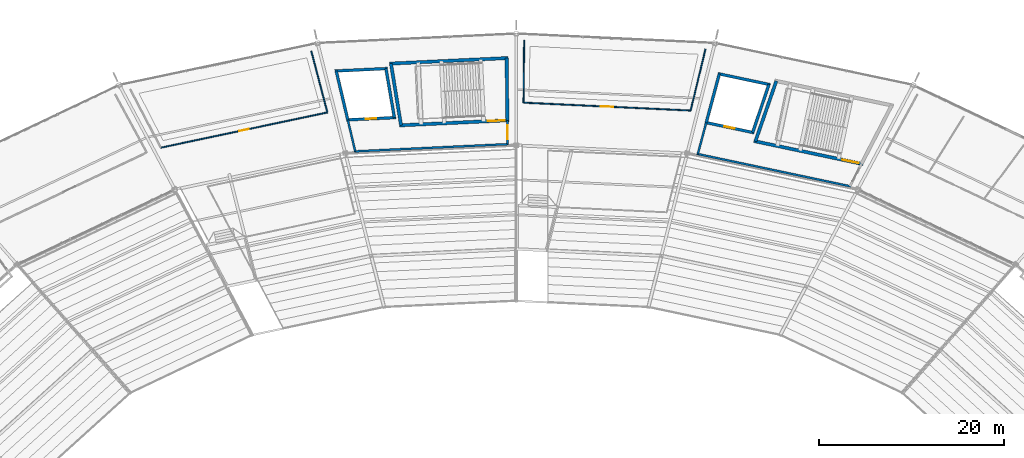
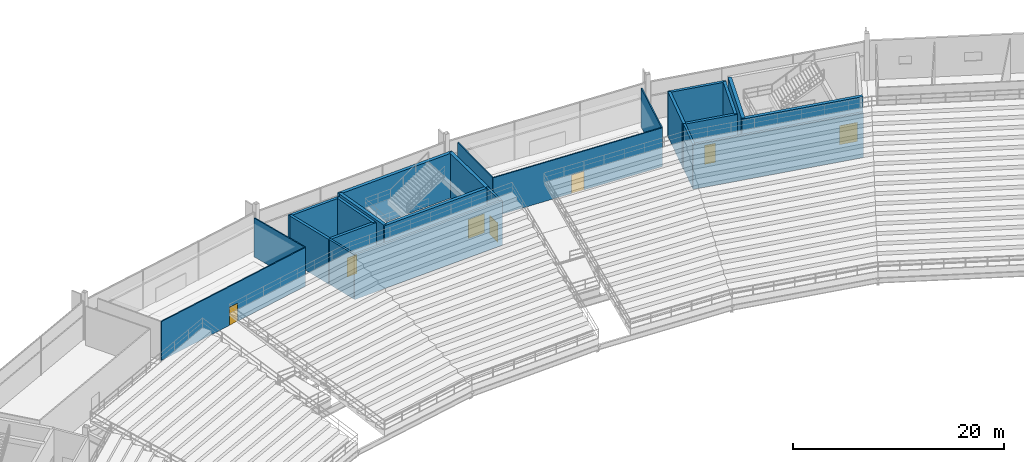
# One storey, part 131 of 186: 24 walls, 7 doors, 7 openings.
"""IFC4 building model written with IfcOpenShell, lengths in metres."""

from ifc_helpers import new_model, si_unit, direction, frame, frame_2d, origin, place, context, subcontext, project, spatial, rectangle, extrude, material, layer, layer_set, type_object, element, fill, save


model = new_model("IFC4")

# Units and contexts
model_context = context("Model", 3, precision=1e-05, world=origin(), true_north=direction((0.0, 1.0)))
body_context = subcontext(model_context, "Body", "Model", "MODEL_VIEW")
ifc_project = project(units=[si_unit("LENGTHUNIT", "METRE"), si_unit("AREAUNIT", "SQUARE_METRE"), si_unit("VOLUMEUNIT", "CUBIC_METRE"), si_unit("PLANEANGLEUNIT", "RADIAN"), si_unit("MASSUNIT", "GRAM", prefix="KILO")], contexts=[model_context])

# Site, building, storey
site_placement = place(None, origin())
site = spatial("IfcSite", under=ifc_project, at=site_placement, CompositionType="ELEMENT")
building_placement = place(site_placement, origin())
building = spatial("IfcBuilding", under=site, at=building_placement, Name="Kazemori Nagisa Stadium", CompositionType="ELEMENT")
storey_placement = place(building_placement, frame((0.0, 0.0, 20.39990234375)))
storey = spatial("IfcBuildingStorey", under=building, at=storey_placement, Name="L04", CompositionType="ELEMENT", Elevation=20.39990234375)

# Wall, opening, door
ifc_material_1 = material(Name="Concrete C40/50 (Fc42)", Category="concrete")
ifc_layer_1 = layer(ifc_material_1, 0.35009765625, Name="Concrete C40/50 (Fc42)", Category="concrete")
ifc_layer_set_1 = layer_set([ifc_layer_1], Name="Concrete C40/50 (Fc42)")
wall_type_1 = type_object("IfcWallType", Name="Wall_W-CORE-350", PredefinedType="SHEAR", material=ifc_layer_set_1)
wall_1_placement = place(storey_placement, frame((160.399658203125, 173.939697265625, 0.0), z_axis=(0.0, 0.0, 1.0), x_axis=(-0.978345203961, 0.206979858648, 0.0)))
wall_1 = element("IfcWall", 1, at=wall_1_placement, inside=storey, type_object=wall_type_1, Name="Core stair front shear wall ST11 L04", PredefinedType="SHEAR", context=body_context, shape_type="SweptSolid", body=[
    extrude(rectangle(XDim=12.044189453125, YDim=0.35009765625, at=frame_2d((6.02197265625, 0.0))), origin(), (0.0, 0.0, 1.0), 5.18017578125),
])
opening_1_placement = place(wall_1_placement, frame((0.47509765625, 0.0, 0.0)))
opening_1 = element("IfcOpeningElement", 2, at=opening_1_placement, cuts=wall_1, Name="Opening D-ST-1800", PredefinedType="OPENING", context=body_context, shape_type="SweptSolid", body=[
    extrude(rectangle(XDim=1.800048828125, YDim=2.199951171875, at=frame_2d((0.89990234375, 1.10009765625))), frame((0.0, 0.18505859375, 0.0), z_axis=(0.0, -1.0, 0.0), x_axis=(1.0, 0.0, 0.0)), (0.0, 0.0, 1.0), 0.3701171875),
])
ifc_material_2 = material(Name="Galvanised steel sheet", Category="steel")
door_type_1 = type_object("IfcDoorType", Name="Door_D-ST-1800", OperationType="NOTDEFINED", PredefinedType="DOOR", material=ifc_material_2)
door_1_placement = place(opening_1_placement, frame((1.800048828125, 0.0, 0.0), z_axis=(0.0, 0.0, 1.0), x_axis=(-1.0, 0.0, 0.0)))
door_1 = element("IfcDoor", 3, at=door_1_placement, inside=storey, type_object=door_type_1, Name="Exit stair fire door ST11-L04", OperationType="SINGLE_SWING_RIGHT", OverallHeight=2.199951171875, OverallWidth=1.800048828125, PredefinedType="DOOR", context=body_context, shape_type="SweptSolid", body=[
    extrude(rectangle(XDim=1.800048828125, YDim=2.199951171875, at=frame_2d((0.89990234375, 1.10009765625))), frame((0.0, 0.02490234375, 0.0), z_axis=(0.0, -1.0, 0.0), x_axis=(1.0, 0.0, 0.0)), (0.0, 0.0, 1.0), 0.050048828125),
])
fill(opening_1, door_1)

# Wall
wall_2_placement = place(storey_placement, frame((148.787353515625, 176.396240234375, 0.0), z_axis=(0.0, 0.0, 1.0), x_axis=(0.327491724385, 0.944854047173, 0.0)))
element("IfcWall", 4, at=wall_2_placement, inside=storey, type_object=wall_type_1, Name="Core stair right shear wall ST11 L04", PredefinedType="SHEAR", context=body_context, shape_type="SweptSolid", body=[
    extrude(rectangle(XDim=6.88525390625, YDim=0.35009765625, at=frame_2d((3.442626953125, 0.0))), origin(), (0.0, 0.0, 1.0), 5.18017578125),
])

# Wall, opening, door
wall_3_placement = place(storey_placement, frame((122.218994140625, 178.675048828125, 0.0), z_axis=(0.0, 0.0, 1.0), x_axis=(-0.998883770468, -0.04723571843, 0.0)))
wall_3 = element("IfcWall", 5, at=wall_3_placement, inside=storey, type_object=wall_type_1, Name="Core stair front shear wall ST05 L04", PredefinedType="SHEAR", context=body_context, shape_type="SweptSolid", body=[
    extrude(rectangle(XDim=11.830810546875, YDim=0.35009765625, at=frame_2d((5.91552734375, 0.0))), origin(), (0.0, 0.0, 1.0), 5.18017578125),
])
opening_2_placement = place(wall_3_placement, frame((0.47509765625, 0.0, 0.0)))
opening_2 = element("IfcOpeningElement", 6, at=opening_2_placement, cuts=wall_3, Name="Opening D-ST-1800", PredefinedType="OPENING", context=body_context, shape_type="SweptSolid", body=[
    extrude(rectangle(XDim=1.800048828125, YDim=2.199951171875, at=frame_2d((0.89990234375, 1.10009765625))), frame((0.0, 0.18505859375, 0.0), z_axis=(0.0, -1.0, 0.0), x_axis=(1.0, 0.0, 0.0)), (0.0, 0.0, 1.0), 0.3701171875),
])
door_2_placement = place(opening_2_placement, frame((1.800048828125, 0.0, 0.0), z_axis=(0.0, 0.0, 1.0), x_axis=(-1.0, 0.0, 0.0)))
door_2 = element("IfcDoor", 7, at=door_2_placement, inside=storey, type_object=door_type_1, Name="Exit stair fire door ST05-L04", OperationType="SINGLE_SWING_LEFT", OverallHeight=2.199951171875, OverallWidth=1.800048828125, PredefinedType="DOOR", context=body_context, shape_type="SweptSolid", body=[
    extrude(rectangle(XDim=1.800048828125, YDim=2.199951171875, at=frame_2d((0.89990234375, 1.10009765625))), frame((0.0, 0.02490234375, 0.0), z_axis=(0.0, -1.0, 0.0), x_axis=(1.0, 0.0, 0.0)), (0.0, 0.0, 1.0), 0.050048828125),
])
fill(opening_2, door_2)

# Walls
wall_4_placement = place(storey_placement, frame((122.135498046875, 185.379150390625, 0.0), z_axis=(0.0, 0.0, 1.0), x_axis=(-0.998884004857, -0.047230761603, 0.0)))
element("IfcWall", 8, at=wall_4_placement, inside=storey, type_object=wall_type_1, Name="Core stair rear shear wall ST05 L04", PredefinedType="SHEAR", context=body_context, shape_type="SweptSolid", body=[
    extrude(rectangle(XDim=12.8349609375, YDim=0.35009765625, at=frame_2d((6.41748046875, 0.0))), origin(), (0.0, 0.0, 1.0), 5.18017578125),
])
wall_5_placement = place(storey_placement, frame((122.04443359375, 178.666748046875, 0.0), z_axis=(0.0, 0.0, 1.0), x_axis=(-0.012489921532, 0.999921997888, 0.0)))
element("IfcWall", 9, at=wall_5_placement, inside=storey, type_object=wall_type_1, Name="Core stair left shear wall ST05 L04", PredefinedType="SHEAR", context=body_context, shape_type="SweptSolid", body=[
    extrude(rectangle(XDim=6.70458984375, YDim=0.35009765625, at=frame_2d((3.352294921875, 0.0))), origin(), (0.0, 0.0, 1.0), 5.18017578125),
])
wall_6_placement = place(storey_placement, frame((110.576171875, 178.12451171875, 0.0), z_axis=(0.0, 0.0, 1.0), x_axis=(-0.161075775241, 0.986942042184, 0.0)))
element("IfcWall", 10, at=wall_6_placement, inside=storey, type_object=wall_type_1, Name="Core stair right shear wall ST05 L04", PredefinedType="SHEAR", context=body_context, shape_type="SweptSolid", body=[
    extrude(rectangle(XDim=6.744873046875, YDim=0.35009765625, at=frame_2d((3.37255859375, 0.0))), origin(), (0.0, 0.0, 1.0), 5.18017578125),
])
ifc_material_3 = material(Name="Concrete C36/45 (Fc36)", Category="concrete")
ifc_layer_2 = layer(ifc_material_3, 0.219970703125, Name="Concrete C36/45 (Fc36)", Category="concrete")
ifc_layer_set_2 = layer_set([ifc_layer_2], Name="Concrete C36/45 (Fc36)")
wall_type_2 = type_object("IfcWallType", Name="Wall_W-LOBBY-220", PredefinedType="SOLIDWALL", material=ifc_layer_set_2)
wall_7_placement = place(storey_placement, frame((159.083984375, 171.5322265625, 0.0), z_axis=(0.0, 0.0, 1.0), x_axis=(-0.978342313718, 0.206993519678, 0.0)))
element("IfcWall", 11, at=wall_7_placement, inside=storey, type_object=wall_type_2, Name="Core lobby fire wall ST11 L04", PredefinedType="SOLIDWALL", context=body_context, shape_type="SweptSolid", body=[
    extrude(rectangle(XDim=16.983154296875, YDim=0.219970703125, at=frame_2d((8.49169921875, 0.0))), origin(), (0.0, 0.0, 1.0), 5.18017578125),
])
wall_8_placement = place(storey_placement, frame((142.576171875, 175.024658203125, 0.0), z_axis=(0.0, 0.0, 1.0), x_axis=(0.258940146037, 0.965893369255, 0.0)))
element("IfcWall", 12, at=wall_8_placement, inside=storey, type_object=wall_type_2, Name="Core lobby right wall ST11 L04", PredefinedType="SOLIDWALL", context=body_context, shape_type="SweptSolid", body=[
    extrude(rectangle(XDim=3.50830078125, YDim=0.219970703125, at=frame_2d((1.754150390625, 0.0))), origin(), (0.0, 0.0, 1.0), 5.18017578125),
])
wall_9_placement = place(storey_placement, frame((122.186279296875, 176.093505859375, 0.0), z_axis=(0.0, 0.0, 1.0), x_axis=(-0.998884242682, -0.047225731555, 0.0)))
element("IfcWall", 13, at=wall_9_placement, inside=storey, type_object=wall_type_2, Name="Core lobby fire wall ST05 L04", PredefinedType="SOLIDWALL", context=body_context, shape_type="SweptSolid", body=[
    extrude(rectangle(XDim=16.67724609375, YDim=0.219970703125, at=frame_2d((8.338623046875, 0.0))), origin(), (0.0, 0.0, 1.0), 5.18017578125),
])

# Wall, opening, door
wall_10_placement = place(storey_placement, frame((122.076416015625, 176.08837890625, 0.0), z_axis=(0.0, 0.0, 1.0), x_axis=(-0.012403174243, 0.999923077676, 0.0)))
wall_10 = element("IfcWall", 14, at=wall_10_placement, inside=storey, type_object=wall_type_2, Name="Core lobby left wall ST05 L04", PredefinedType="SOLIDWALL", context=body_context, shape_type="SweptSolid", body=[
    extrude(rectangle(XDim=2.57861328125, YDim=0.219970703125, at=frame_2d((1.289306640625, 0.0))), origin(), (0.0, 0.0, 1.0), 5.18017578125),
])
opening_3_placement = place(wall_10_placement, frame((0.5390625, 0.0, 0.0)))
opening_3 = element("IfcOpeningElement", 15, at=opening_3_placement, cuts=wall_10, Name="Opening D-FFL-1500", PredefinedType="OPENING", context=body_context, shape_type="SweptSolid", body=[
    extrude(rectangle(XDim=1.5, YDim=2.199951171875, at=frame_2d((0.75, 1.10009765625))), frame((0.0, 0.119873046875, 0.0), z_axis=(0.0, -1.0, 0.0), x_axis=(1.0, 0.0, 0.0)), (0.0, 0.0, 1.0), 0.239990234375),
])
door_type_2 = type_object("IfcDoorType", Name="Door_D-FFL-1500", OperationType="NOTDEFINED", PredefinedType="DOOR", material=ifc_material_2)
door_3_placement = place(opening_3_placement, frame((1.5, 0.0, 0.0), z_axis=(0.0, 0.0, 1.0), x_axis=(-1.0, 0.0, 0.0)))
door_3 = element("IfcDoor", 16, at=door_3_placement, inside=storey, type_object=door_type_2, Name="Protected lobby fire door ST05-L04", OperationType="DOUBLE_DOOR_SINGLE_SWING", OverallHeight=2.199951171875, OverallWidth=1.5, PredefinedType="DOOR", context=body_context, shape_type="SweptSolid", body=[
    extrude(rectangle(XDim=1.5, YDim=2.199951171875, at=frame_2d((0.75, 1.10009765625))), frame((0.0, 0.02490234375, 0.0), z_axis=(0.0, -1.0, 0.0), x_axis=(1.0, 0.0, 0.0)), (0.0, 0.0, 1.0), 0.050048828125),
])
fill(opening_3, door_3)

# Wall
wall_11_placement = place(storey_placement, frame((105.6376953125, 175.31103515625, 0.0), z_axis=(0.0, 0.0, 1.0), x_axis=(-0.230522067539, 0.973067097572, 0.0)))
element("IfcWall", 17, at=wall_11_placement, inside=storey, type_object=wall_type_2, Name="Core lobby right wall ST05 L04", PredefinedType="SOLIDWALL", context=body_context, shape_type="SweptSolid", body=[
    extrude(rectangle(XDim=3.49609375, YDim=0.219970703125, at=frame_2d((1.748046875, 0.0))), origin(), (0.0, 0.0, 1.0), 5.18017578125),
])

# Wall, opening, door
ifc_material_4 = material(Name="Gypsum plasterboard", Category="gypsum")
ifc_layer_3 = layer(ifc_material_4, 0.125, Name="Gypsum plasterboard", Category="gypsum")
ifc_layer_set_3 = layer_set([ifc_layer_3], Name="Gypsum plasterboard")
wall_type_3 = type_object("IfcWallType", Name="Wall_W-PART-125", PredefinedType="PARTITIONING", material=ifc_layer_set_3)
wall_12_placement = place(storey_placement, frame((141.801513671875, 179.715087890625, 0.0), z_axis=(0.0, 0.0, 1.0), x_axis=(-0.998884400119, 0.047222401453, 0.0)))
wall_12 = element("IfcWall", 18, at=wall_12_placement, inside=storey, type_object=wall_type_3, Name="Room corridor partition L04-B07", PredefinedType="PARTITIONING", context=body_context, shape_type="SweptSolid", body=[
    extrude(rectangle(XDim=18.0380859375, YDim=0.125, at=frame_2d((9.01904296875, 0.0))), origin(), (0.0, 0.0, 1.0), 4.5),
])
opening_4_placement = place(wall_12_placement, frame((8.343994140625, 0.0, 0.0)))
opening_4 = element("IfcOpeningElement", 19, at=opening_4_placement, cuts=wall_12, Name="Opening D-CON-1350", PredefinedType="OPENING", context=body_context, shape_type="SweptSolid", body=[
    extrude(rectangle(XDim=1.35009765625, YDim=2.14990234375, at=frame_2d((0.675048828125, 1.074951171875))), frame((0.0, 0.072509765625, 0.0), z_axis=(0.0, -1.0, 0.0), x_axis=(1.0, 0.0, 0.0)), (0.0, 0.0, 1.0), 0.14501953125),
])
ifc_material_5 = material(Name="Anodised aluminium 6063-T5", Category="aluminium")
door_type_3 = type_object("IfcDoorType", Name="Door_D-CON-1350", OperationType="NOTDEFINED", PredefinedType="DOOR", material=ifc_material_5)
door_4_placement = place(opening_4_placement, origin())
door_4 = element("IfcDoor", 20, at=door_4_placement, inside=storey, type_object=door_type_3, Name="Room entrance door D-CON-1350 L04-B07", OperationType="SINGLE_SWING_RIGHT", OverallHeight=2.14990234375, OverallWidth=1.35009765625, PredefinedType="DOOR", context=body_context, shape_type="SweptSolid", body=[
    extrude(rectangle(XDim=1.35009765625, YDim=2.14990234375, at=frame_2d((0.675048828125, 1.074951171875))), frame((0.0, 0.02490234375, 0.0), z_axis=(0.0, -1.0, 0.0), x_axis=(1.0, 0.0, 0.0)), (0.0, 0.0, 1.0), 0.050048828125),
])
fill(opening_4, door_4)

# Walls
wall_13_placement = place(storey_placement, frame((141.801513671875, 179.715087890625, 0.0), z_axis=(0.0, 0.0, 1.0), x_axis=(0.235145319277, 0.971960224918, 0.0)))
element("IfcWall", 21, at=wall_13_placement, inside=storey, type_object=wall_type_3, Name="Room radial partition L04-B07-L", PredefinedType="PARTITIONING", context=body_context, shape_type="SweptSolid", body=[
    extrude(rectangle(XDim=6.823486328125, YDim=0.125, at=frame_2d((3.41162109375, 0.0))), origin(), (0.0, 0.0, 1.0), 4.5),
])
wall_14_placement = place(storey_placement, frame((123.783447265625, 180.56689453125, 0.0), z_axis=(0.0, 0.0, 1.0), x_axis=(0.009976563515, 0.999950232852, 0.0)))
element("IfcWall", 22, at=wall_14_placement, inside=storey, type_object=wall_type_3, Name="Room radial partition L04-B07-R", PredefinedType="PARTITIONING", context=body_context, shape_type="SweptSolid", body=[
    extrude(rectangle(XDim=6.705078125, YDim=0.125, at=frame_2d((3.3525390625, 0.0))), origin(), (0.0, 0.0, 1.0), 4.5),
])

# Wall, opening, door
wall_15_placement = place(storey_placement, frame((102.633544921875, 179.5126953125, 0.0), z_axis=(0.0, 0.0, 1.0), x_axis=(-0.978344735835, -0.20698207136, 0.0)))
wall_15 = element("IfcWall", 23, at=wall_15_placement, inside=storey, type_object=wall_type_3, Name="Room corridor partition L04-B09", PredefinedType="PARTITIONING", context=body_context, shape_type="SweptSolid", body=[
    extrude(rectangle(XDim=18.37353515625, YDim=0.125, at=frame_2d((9.186767578125, 0.0))), origin(), (0.0, 0.0, 1.0), 4.5),
])
opening_5_placement = place(wall_15_placement, frame((8.677001953125, 0.0, 0.0)))
opening_5 = element("IfcOpeningElement", 24, at=opening_5_placement, cuts=wall_15, Name="Opening D-STR-1020", PredefinedType="OPENING", context=body_context, shape_type="SweptSolid", body=[
    extrude(rectangle(XDim=1.02001953125, YDim=2.10009765625, at=frame_2d((0.510009765625, 1.050048828125))), frame((0.0, 0.072509765625, 0.0), z_axis=(0.0, -1.0, 0.0), x_axis=(1.0, 0.0, 0.0)), (0.0, 0.0, 1.0), 0.14501953125),
])
ifc_material_6 = material(Name="Powder-coated steel sheet", Category="steel")
door_type_4 = type_object("IfcDoorType", Name="Door_D-STR-1020", OperationType="NOTDEFINED", PredefinedType="DOOR", material=ifc_material_6)
door_5_placement = place(opening_5_placement, origin())
door_5 = element("IfcDoor", 25, at=door_5_placement, inside=storey, type_object=door_type_4, Name="Room entrance door D-STR-1020 L04-B09", OperationType="SINGLE_SWING_LEFT", OverallHeight=2.10009765625, OverallWidth=1.02001953125, PredefinedType="DOOR", context=body_context, shape_type="SweptSolid", body=[
    extrude(rectangle(XDim=1.02001953125, YDim=2.10009765625, at=frame_2d((0.510009765625, 1.050048828125))), frame((0.0, 0.02490234375, 0.0), z_axis=(0.0, -1.0, 0.0), x_axis=(1.0, 0.0, 0.0)), (0.0, 0.0, 1.0), 0.050048828125),
])
fill(opening_5, door_5)

# Wall
wall_16_placement = place(storey_placement, frame((102.633544921875, 179.5126953125, 0.0), z_axis=(0.0, 0.0, 1.0), x_axis=(-0.254126047026, 0.967171108038, 0.0)))
element("IfcWall", 26, at=wall_16_placement, inside=storey, type_object=wall_type_3, Name="Room radial partition L04-B09-L", PredefinedType="PARTITIONING", context=body_context, shape_type="SweptSolid", body=[
    extrude(rectangle(XDim=6.83935546875, YDim=0.125, at=frame_2d((3.419677734375, 0.0))), origin(), (0.0, 0.0, 1.0), 4.5),
])

# Wall, opening, door
ifc_layer_4 = layer(ifc_material_1, 0.300048828125, Name="Concrete C40/50 (Fc42)", Category="concrete")
ifc_layer_set_4 = layer_set([ifc_layer_4], Name="Concrete C40/50 (Fc42)")
wall_type_4 = type_object("IfcWallType", Name="Wall_W-SHAFT-300", PredefinedType="SHEAR", material=ifc_layer_set_4)
wall_17_placement = place(storey_placement, frame((148.644775390625, 177.32177734375, 0.0), z_axis=(0.0, 0.0, 1.0), x_axis=(-0.978351630878, 0.206949477793, 0.0)))
wall_17 = element("IfcWall", 27, at=wall_17_placement, inside=storey, type_object=wall_type_4, Name="Lift shaft front wall LP3 L04", PredefinedType="SHEAR", context=body_context, shape_type="SweptSolid", body=[
    extrude(rectangle(XDim=5.42431640625, YDim=0.300048828125, at=frame_2d((2.712158203125, 0.0))), origin(), (0.0, 0.0, 1.0), 5.18017578125),
])
opening_6_placement = place(wall_17_placement, frame((2.162109375, 0.0, 0.0)))
opening_6 = element("IfcOpeningElement", 28, at=opening_6_placement, cuts=wall_17, Name="Opening LD-PAX", PredefinedType="OPENING", context=body_context, shape_type="SweptSolid", body=[
    extrude(rectangle(XDim=1.10009765625, YDim=2.199951171875, at=frame_2d((0.550048828125, 1.10009765625))), frame((0.0, 0.159912109375, 0.0), z_axis=(0.0, -1.0, 0.0), x_axis=(1.0, 0.0, 0.0)), (0.0, 0.0, 1.0), 0.320068359375),
])
ifc_material_7 = material(Name="Stainless steel SUS304", Category="steel")
door_type_5 = type_object("IfcDoorType", Name="Door_LD-PAX", OperationType="SLIDING_TO_RIGHT", PredefinedType="DOOR", material=ifc_material_7)
door_6_placement = place(opening_6_placement, origin())
door_6 = element("IfcDoor", 29, at=door_6_placement, inside=storey, type_object=door_type_5, Name="Lift landing door LP3-L04", OperationType="SLIDING_TO_RIGHT", OverallHeight=2.199951171875, OverallWidth=1.10009765625, PredefinedType="DOOR", context=body_context, shape_type="SweptSolid", body=[
    extrude(rectangle(XDim=1.10009765625, YDim=2.199951171875, at=frame_2d((0.550048828125, 1.10009765625))), frame((0.0, 0.02490234375, 0.0), z_axis=(0.0, -1.0, 0.0), x_axis=(1.0, 0.0, 0.0)), (0.0, 0.0, 1.0), 0.050048828125),
])
fill(opening_6, door_6)

# Walls
wall_18_placement = place(storey_placement, frame((150.3974609375, 182.501220703125, 0.0), z_axis=(0.0, 0.0, 1.0), x_axis=(-0.978347069901, 0.206971038591, 0.0)))
element("IfcWall", 30, at=wall_18_placement, inside=storey, type_object=wall_type_4, Name="Lift shaft B wall LP3 L04", PredefinedType="SHEAR", context=body_context, shape_type="SweptSolid", body=[
    extrude(rectangle(XDim=5.7763671875, YDim=0.300048828125, at=frame_2d((2.88818359375, 0.0))), origin(), (0.0, 0.0, 1.0), 5.18017578125),
])
wall_19_placement = place(storey_placement, frame((148.498046875, 177.352783203125, 0.0), z_axis=(0.0, 0.0, 1.0), x_axis=(0.320537624185, 0.947235784523, 0.0)))
element("IfcWall", 31, at=wall_19_placement, inside=storey, type_object=wall_type_4, Name="Lift shaft L wall LP3 L04", PredefinedType="SHEAR", context=body_context, shape_type="SweptSolid", body=[
    extrude(rectangle(XDim=5.468017578125, YDim=0.300048828125, at=frame_2d((2.73388671875, 0.0))), origin(), (0.0, 0.0, 1.0), 5.18017578125),
])
wall_20_placement = place(storey_placement, frame((143.484619140625, 178.413330078125, 0.0), z_axis=(0.0, 0.0, 1.0), x_axis=(0.258958994481, 0.965888316099, 0.0)))
element("IfcWall", 32, at=wall_20_placement, inside=storey, type_object=wall_type_4, Name="Lift shaft R wall LP3 L04", PredefinedType="SHEAR", context=body_context, shape_type="SweptSolid", body=[
    extrude(rectangle(XDim=5.43798828125, YDim=0.300048828125, at=frame_2d((2.718994140625, 0.0))), origin(), (0.0, 0.0, 1.0), 5.18017578125),
])

# Wall, opening, door
wall_21_placement = place(storey_placement, frame((110.007080078125, 178.95751953125, 0.0), z_axis=(0.0, 0.0, 1.0), x_axis=(-0.998884655258, -0.047217004244, 0.0)))
wall_21 = element("IfcWall", 33, at=wall_21_placement, inside=storey, type_object=wall_type_4, Name="Lift shaft front wall LP1 L04", PredefinedType="SHEAR", context=body_context, shape_type="SweptSolid", body=[
    extrude(rectangle(XDim=5.330810546875, YDim=0.300048828125, at=frame_2d((2.66552734375, 0.0))), origin(), (0.0, 0.0, 1.0), 5.18017578125),
])
opening_7_placement = place(wall_21_placement, frame((2.114990234375, 0.0, 0.0)))
opening_7 = element("IfcOpeningElement", 34, at=opening_7_placement, cuts=wall_21, Name="Opening LD-PAX", PredefinedType="OPENING", context=body_context, shape_type="SweptSolid", body=[
    extrude(rectangle(XDim=1.10009765625, YDim=2.199951171875, at=frame_2d((0.550048828125, 1.10009765625))), frame((0.0, 0.159912109375, 0.0), z_axis=(0.0, -1.0, 0.0), x_axis=(1.0, 0.0, 0.0)), (0.0, 0.0, 1.0), 0.320068359375),
])
door_7_placement = place(opening_7_placement, origin())
door_7 = element("IfcDoor", 35, at=door_7_placement, inside=storey, type_object=door_type_5, Name="Lift landing door LP1-L04", OperationType="SLIDING_TO_RIGHT", OverallHeight=2.199951171875, OverallWidth=1.10009765625, PredefinedType="DOOR", context=body_context, shape_type="SweptSolid", body=[
    extrude(rectangle(XDim=1.10009765625, YDim=2.199951171875, at=frame_2d((0.550048828125, 1.10009765625))), frame((0.0, 0.02490234375, 0.0), z_axis=(0.0, -1.0, 0.0), x_axis=(1.0, 0.0, 0.0)), (0.0, 0.0, 1.0), 0.050048828125),
])
fill(opening_7, door_7)

# Walls
wall_22_placement = place(storey_placement, frame((109.103515625, 184.246826171875, 0.0), z_axis=(0.0, 0.0, 1.0), x_axis=(-0.998884329444, -0.047223896393, 0.0)))
element("IfcWall", 36, at=wall_22_placement, inside=storey, type_object=wall_type_4, Name="Lift shaft B wall LP1 L04", PredefinedType="SHEAR", context=body_context, shape_type="SweptSolid", body=[
    extrude(rectangle(XDim=5.676513671875, YDim=0.300048828125, at=frame_2d((2.83837890625, 0.0))), origin(), (0.0, 0.0, 1.0), 5.18017578125),
])
wall_23_placement = place(storey_placement, frame((109.857177734375, 178.95068359375, 0.0), z_axis=(0.0, 0.0, 1.0), x_axis=(-0.168396746868, 0.985719298606, 0.0)))
element("IfcWall", 37, at=wall_23_placement, inside=storey, type_object=wall_type_4, Name="Lift shaft L wall LP1 L04", PredefinedType="SHEAR", context=body_context, shape_type="SweptSolid", body=[
    extrude(rectangle(XDim=5.36572265625, YDim=0.300048828125, at=frame_2d((2.682861328125, 0.0))), origin(), (0.0, 0.0, 1.0), 5.18017578125),
])
wall_24_placement = place(storey_placement, frame((104.831787109375, 178.712890625, 0.0), z_axis=(0.0, 0.0, 1.0), x_axis=(-0.230452911873, 0.97308347813, 0.0)))
element("IfcWall", 38, at=wall_24_placement, inside=storey, type_object=wall_type_4, Name="Lift shaft R wall LP1 L04", PredefinedType="SHEAR", context=body_context, shape_type="SweptSolid", body=[
    extrude(rectangle(XDim=5.418701171875, YDim=0.300048828125, at=frame_2d((2.70947265625, 0.0))), origin(), (0.0, 0.0, 1.0), 5.18017578125),
])

save(model, "model.ifc")
